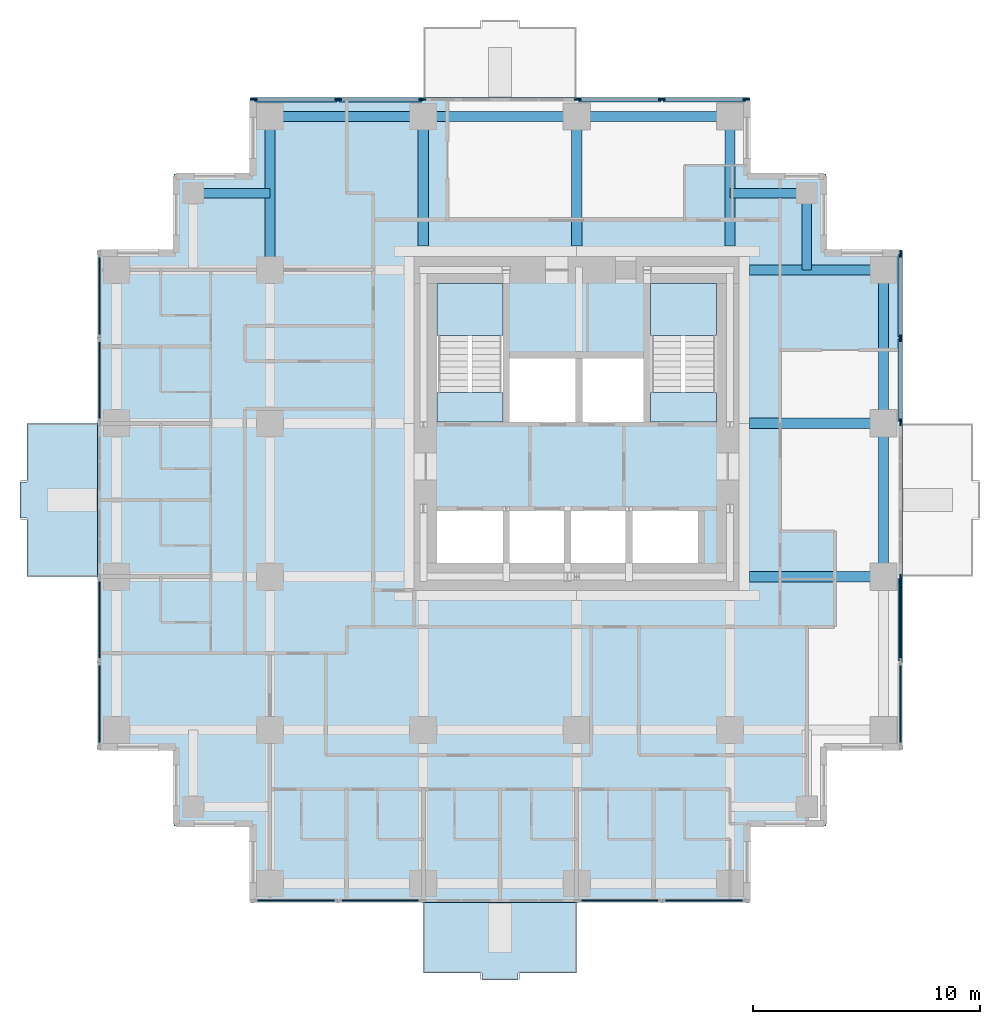
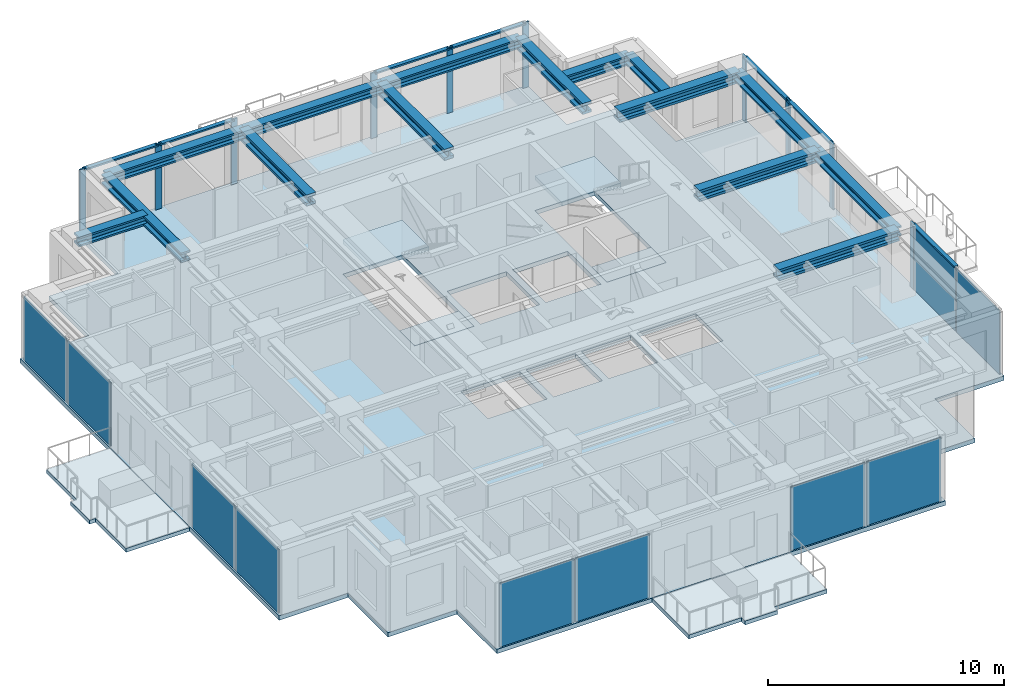
# One storey, part 2 of 8: 17 members, 15 beams, 10 plates, 7 slabs, 10 elements without a shape of their own.
"""IFC4 building model written with IfcOpenShell, lengths in metres."""

from ifc_helpers import new_model, si_unit, direction, frame, origin, origin_2d, place, context, subcontext, project, spatial, polyline, rectangle, i_section, outline, extrude, material, layer, layer_set, material_profile, profile_set, type_object, element, aggregate, save


model = new_model("IFC4")

# Units and contexts
model_context = context("Model", 3, precision=1e-05, world=origin(), true_north=direction((0.0, 1.0)))
body_context = subcontext(model_context, "Body", "Model", "MODEL_VIEW")
ifc_project = project(units=[si_unit("LENGTHUNIT", "METRE"), si_unit("AREAUNIT", "SQUARE_METRE"), si_unit("VOLUMEUNIT", "CUBIC_METRE"), si_unit("PLANEANGLEUNIT", "RADIAN"), si_unit("MASSUNIT", "GRAM", prefix="KILO")], contexts=[model_context])

# Site, building, storey
site_placement = place(None, origin())
site = spatial("IfcSite", under=ifc_project, at=site_placement, CompositionType="ELEMENT")
building_placement = place(site_placement, origin())
building = spatial("IfcBuilding", under=site, at=building_placement, Name="Nyansa Garden Tower", CompositionType="ELEMENT")
storey_placement = place(building_placement, frame((0.0, 0.0, 171.0)))
storey = spatial("IfcBuildingStorey", under=building, at=storey_placement, Name="L46", CompositionType="ELEMENT", Elevation=171.0)

# Curtain wall, member
ifc_material_1 = material(Name="Black anodised aluminium, dark tinted double glazing", Category="aluminium")
curtain_wall_type = type_object("IfcCurtainWallType", Name="Sky lounge curtain wall SLW", PredefinedType="USERDEFINED", material=ifc_material_1)
curtain_wall_1_placement = place(storey_placement, origin())
curtain_wall_1 = element("IfcCurtainWall", 1, at=curtain_wall_1_placement, inside=storey, type_object=curtain_wall_type, Name="Inner skin curtain wall L46 E", ObjectType="UNITISED CURTAIN WALL", PredefinedType="USERDEFINED")
ifc_material_2 = material(Name="Black anodised aluminium", Category="aluminium")
ifc_material_profile_1 = material_profile(ifc_material_2, rectangle(XDim=0.080078125, YDim=0.300048828125, at=origin_2d()), Name="Mullion 300x80")
ifc_profile_set_1 = profile_set([ifc_material_profile_1], Name="Black anodised aluminium")
member_type_1 = type_object("IfcMemberType", Name="Mullion SLW 300x80", PredefinedType="MULLION", material=ifc_profile_set_1)
member_1_placement = place(storey_placement, frame((34.5, 13.4599609375, 0.0), z_axis=(0.0, 0.0, 1.0), x_axis=(-1.0, 0.0, 0.0)))
member_1 = element("IfcMember", 2, at=member_1_placement, type_object=member_type_1, Name="SLW mullion 3", PredefinedType="MULLION", context=body_context, shape_type="SweptSolid", body=[
    extrude(rectangle(XDim=0.080078125, YDim=0.300048828125, at=origin_2d()), origin(), (0.0, 0.0, 1.0), 3.375),
])

# Curtain wall, members
curtain_wall_2_placement = place(storey_placement, origin())
curtain_wall_2 = element("IfcCurtainWall", 3, at=curtain_wall_2_placement, inside=storey, type_object=curtain_wall_type, Name="Inner skin curtain wall L46 E", ObjectType="UNITISED CURTAIN WALL", PredefinedType="USERDEFINED")
member_2_placement = place(storey_placement, frame((34.5, 20.2900390625, 0.0), z_axis=(0.0, 0.0, 1.0), x_axis=(-1.0, 0.0, 0.0)))
member_2 = element("IfcMember", 4, at=member_2_placement, type_object=member_type_1, Name="SLW mullion 1", PredefinedType="MULLION", context=body_context, shape_type="SweptSolid", body=[
    extrude(rectangle(XDim=0.080078125, YDim=0.300048828125, at=origin_2d()), origin(), (0.0, 0.0, 1.0), 3.375),
])
member_3_placement = place(storey_placement, frame((34.5, 24.0, 0.0), z_axis=(0.0, 0.0, 1.0), x_axis=(-1.0, 0.0, 0.0)))
member_3 = element("IfcMember", 5, at=member_3_placement, type_object=member_type_1, Name="SLW mullion 2", PredefinedType="MULLION", context=body_context, shape_type="SweptSolid", body=[
    extrude(rectangle(XDim=0.080078125, YDim=0.300048828125, at=origin_2d()), origin(), (0.0, 0.0, 1.0), 3.375),
])
member_4_placement = place(storey_placement, frame((34.5, 27.7099609375, 0.0), z_axis=(0.0, 0.0, 1.0), x_axis=(-1.0, 0.0, 0.0)))
member_4 = element("IfcMember", 6, at=member_4_placement, type_object=member_type_1, Name="SLW mullion 3", PredefinedType="MULLION", context=body_context, shape_type="SweptSolid", body=[
    extrude(rectangle(XDim=0.080078125, YDim=0.300048828125, at=origin_2d()), origin(), (0.0, 0.0, 1.0), 3.375),
])

curtain_wall_3_placement = place(storey_placement, origin())
curtain_wall_3 = element("IfcCurtainWall", 7, at=curtain_wall_3_placement, inside=storey, type_object=curtain_wall_type, Name="Inner skin curtain wall L46 N", ObjectType="UNITISED CURTAIN WALL", PredefinedType="USERDEFINED")
member_5_placement = place(storey_placement, frame((13.4599609375, 34.5, 0.0), z_axis=(0.0, 0.0, 1.0), x_axis=(0.0, -1.0, 0.0)))
member_5 = element("IfcMember", 8, at=member_5_placement, type_object=member_type_1, Name="SLW mullion 1", PredefinedType="MULLION", context=body_context, shape_type="SweptSolid", body=[
    extrude(rectangle(XDim=0.080078125, YDim=0.300048828125, at=origin_2d()), origin(), (0.0, 0.0, 1.0), 3.375),
])
member_6_placement = place(storey_placement, frame((9.75, 34.5, 0.0), z_axis=(0.0, 0.0, 1.0), x_axis=(0.0, -1.0, 0.0)))
member_6 = element("IfcMember", 9, at=member_6_placement, type_object=member_type_1, Name="SLW mullion 2", PredefinedType="MULLION", context=body_context, shape_type="SweptSolid", body=[
    extrude(rectangle(XDim=0.080078125, YDim=0.300048828125, at=origin_2d()), origin(), (0.0, 0.0, 1.0), 3.375),
])
member_7_placement = place(storey_placement, frame((6.0400390625, 34.5, 0.0), z_axis=(0.0, 0.0, 1.0), x_axis=(0.0, -1.0, 0.0)))
member_7 = element("IfcMember", 10, at=member_7_placement, type_object=member_type_1, Name="SLW mullion 3", PredefinedType="MULLION", context=body_context, shape_type="SweptSolid", body=[
    extrude(rectangle(XDim=0.080078125, YDim=0.300048828125, at=origin_2d()), origin(), (0.0, 0.0, 1.0), 3.375),
])

curtain_wall_4_placement = place(storey_placement, origin())
curtain_wall_4 = element("IfcCurtainWall", 11, at=curtain_wall_4_placement, inside=storey, type_object=curtain_wall_type, Name="Inner skin curtain wall L46 N", ObjectType="UNITISED CURTAIN WALL", PredefinedType="USERDEFINED")
member_8_placement = place(storey_placement, frame((27.7099609375, 34.5, 0.0), z_axis=(0.0, 0.0, 1.0), x_axis=(0.0, -1.0, 0.0)))
member_8 = element("IfcMember", 12, at=member_8_placement, type_object=member_type_1, Name="SLW mullion 1", PredefinedType="MULLION", context=body_context, shape_type="SweptSolid", body=[
    extrude(rectangle(XDim=0.080078125, YDim=0.300048828125, at=origin_2d()), origin(), (0.0, 0.0, 1.0), 3.375),
])
member_9_placement = place(storey_placement, frame((24.0, 34.5, 0.0), z_axis=(0.0, 0.0, 1.0), x_axis=(0.0, -1.0, 0.0)))
member_9 = element("IfcMember", 13, at=member_9_placement, type_object=member_type_1, Name="SLW mullion 2", PredefinedType="MULLION", context=body_context, shape_type="SweptSolid", body=[
    extrude(rectangle(XDim=0.080078125, YDim=0.300048828125, at=origin_2d()), origin(), (0.0, 0.0, 1.0), 3.375),
])
member_10_placement = place(storey_placement, frame((20.2900390625, 34.5, 0.0), z_axis=(0.0, 0.0, 1.0), x_axis=(0.0, -1.0, 0.0)))
member_10 = element("IfcMember", 14, at=member_10_placement, type_object=member_type_1, Name="SLW mullion 3", PredefinedType="MULLION", context=body_context, shape_type="SweptSolid", body=[
    extrude(rectangle(XDim=0.080078125, YDim=0.300048828125, at=origin_2d()), origin(), (0.0, 0.0, 1.0), 3.375),
])

# Beams
ifc_material_3 = material(Name="Steel S355", Category="steel")
ifc_material_profile_2 = material_profile(ifc_material_3, i_section(OverallWidth=0.431884765625, OverallDepth=0.498046875, WebThickness=0.0556640625, FlangeThickness=0.0888671875, FilletRadius=0.014892578125, at=origin_2d()), Name="HD 400x744")
ifc_profile_set_2 = profile_set([ifc_material_profile_2], Name="Steel S355")
beam_type_1 = type_object("IfcBeamType", Name="Steel beam SBC1-744 HD 400x744", PredefinedType="BEAM", material=ifc_profile_set_2)
beam_1_placement = place(storey_placement, frame((6.75, 27.0, 3.1259765625), z_axis=(0.0, 1.0, 0.0), x_axis=(-1.0, 0.0, 0.0)))
element("IfcBeam", 15, at=beam_1_placement, inside=storey, type_object=beam_type_1, Name="Steel beam 3/H-3/J L47", PredefinedType="BEAM", context=body_context, shape_type="SweptSolid", body=[
    extrude(i_section(OverallWidth=0.431884765625, OverallDepth=0.498046875, WebThickness=0.0556640625, FlangeThickness=0.0888671875, FilletRadius=0.014892578125, at=origin_2d()), origin(), (0.0, 0.0, 1.0), 6.75),
])
ifc_material_4 = material(Name="Steel S355", Category="steel")
ifc_material_profile_3 = material_profile(ifc_material_4, i_section(OverallWidth=0.4541015625, OverallDepth=0.569091796875, WebThickness=0.077880859375, FlangeThickness=0.125, FilletRadius=0.014892578125, at=origin_2d()), Name="HD 400x1086")
ifc_profile_set_3 = profile_set([ifc_material_profile_3], Name="Steel S355")
beam_type_2 = type_object("IfcBeamType", Name="Steel beam SCL-1086 HD 400x1086", PredefinedType="BEAM", material=ifc_profile_set_3)
for number, where, z_axis, x_axis, name in (
    (16, (13.5, 28.050048828125, 3.090576171875), (0.0, 1.0, 0.0), (-1.0, 0.0, 0.0), "Steel beam 4/28.050-4/J L47"),
    (17, (20.25, 28.050048828125, 3.090576171875), (0.0, 1.0, 0.0), (-1.0, 0.0, 0.0), "Steel beam 5/28.050-5/J L47"),
):
    element("IfcBeam", number, at=place(storey_placement, frame(where, z_axis=z_axis, x_axis=x_axis)), inside=storey, type_object=beam_type_2, Name=name, PredefinedType="BEAM", context=body_context, shape_type="SweptSolid", body=[
        extrude(i_section(OverallWidth=0.4541015625, OverallDepth=0.569091796875, WebThickness=0.077880859375, FlangeThickness=0.125, FilletRadius=0.014892578125, at=origin_2d()), origin(), (0.0, 0.0, 1.0), 5.699951171875),
    ])
for number, where, z_axis, x_axis, name in (
    (18, (27.85009765625, 13.5, 3.090576171875), (1.0, 0.0, 0.0), (0.0, 1.0, 0.0), "Steel beam 27.850/F-7/F L47"),
    (19, (27.85009765625, 20.25, 3.090576171875), (1.0, 0.0, 0.0), (0.0, 1.0, 0.0), "Steel beam 27.850/G-7/G L47"),
):
    element("IfcBeam", number, at=place(storey_placement, frame(where, z_axis=z_axis, x_axis=x_axis)), inside=storey, type_object=beam_type_2, Name=name, PredefinedType="BEAM", context=body_context, shape_type="SweptSolid", body=[
        extrude(i_section(OverallWidth=0.4541015625, OverallDepth=0.569091796875, WebThickness=0.077880859375, FlangeThickness=0.125, FilletRadius=0.014892578125, at=origin_2d()), origin(), (0.0, 0.0, 1.0), 5.89990234375),
    ])
beam_2_placement = place(storey_placement, frame((27.0, 28.050048828125, 3.090576171875), z_axis=(0.0, 1.0, 0.0), x_axis=(-1.0, 0.0, 0.0)))
element("IfcBeam", 20, at=beam_2_placement, inside=storey, type_object=beam_type_2, Name="Steel beam 6/28.050-6/J L47", PredefinedType="BEAM", context=body_context, shape_type="SweptSolid", body=[
    extrude(i_section(OverallWidth=0.4541015625, OverallDepth=0.569091796875, WebThickness=0.077880859375, FlangeThickness=0.125, FilletRadius=0.014892578125, at=origin_2d()), origin(), (0.0, 0.0, 1.0), 5.699951171875),
])
beam_3_placement = place(storey_placement, frame((27.85009765625, 27.0, 3.090576171875), z_axis=(1.0, 0.0, 0.0), x_axis=(0.0, 1.0, 0.0)))
element("IfcBeam", 21, at=beam_3_placement, inside=storey, type_object=beam_type_2, Name="Steel beam 27.850/H-7/H L47", PredefinedType="BEAM", context=body_context, shape_type="SweptSolid", body=[
    extrude(i_section(OverallWidth=0.4541015625, OverallDepth=0.569091796875, WebThickness=0.077880859375, FlangeThickness=0.125, FilletRadius=0.014892578125, at=origin_2d()), origin(), (0.0, 0.0, 1.0), 5.89990234375),
])
ifc_material_5 = material(Name="Steel S355", Category="steel")
ifc_material_profile_4 = material_profile(ifc_material_5, i_section(OverallWidth=0.431884765625, OverallDepth=0.498046875, WebThickness=0.0556640625, FlangeThickness=0.0888671875, FilletRadius=0.014892578125, at=origin_2d()), Name="HD 400x744")
ifc_profile_set_4 = profile_set([ifc_material_profile_4], Name="Steel S355")
beam_type_3 = type_object("IfcBeamType", Name="Steel beam SEBC-744 HD 400x744", PredefinedType="BEAM", material=ifc_profile_set_4)
for number, where, z_axis, x_axis, name in (
    (22, (6.75, 33.75, 3.1259765625), (1.0, 0.0, 0.0), (0.0, 1.0, 0.0), "Steel edge beam 3/J-4/J L47"),
    (23, (13.5, 33.75, 3.1259765625), (1.0, 0.0, 0.0), (0.0, 1.0, 0.0), "Steel edge beam 4/J-5/J L47"),
    (24, (20.25, 33.75, 3.1259765625), (1.0, 0.0, 0.0), (0.0, 1.0, 0.0), "Steel edge beam 5/J-6/J L47"),
    (25, (33.75, 13.5, 3.1259765625), (0.0, 1.0, 0.0), (-1.0, 0.0, 0.0), "Steel edge beam 7/F-7/G L47"),
    (26, (33.75, 20.25, 3.1259765625), (0.0, 1.0, 0.0), (-1.0, 0.0, 0.0), "Steel edge beam 7/G-7/H L47"),
):
    element("IfcBeam", number, at=place(storey_placement, frame(where, z_axis=z_axis, x_axis=x_axis)), inside=storey, type_object=beam_type_3, Name=name, PredefinedType="BEAM", context=body_context, shape_type="SweptSolid", body=[
        extrude(i_section(OverallWidth=0.431884765625, OverallDepth=0.498046875, WebThickness=0.0556640625, FlangeThickness=0.0888671875, FilletRadius=0.014892578125, at=origin_2d()), origin(), (0.0, 0.0, 1.0), 6.75),
    ])
ifc_material_6 = material(Name="Steel S355", Category="steel")
ifc_material_profile_5 = material_profile(ifc_material_6, i_section(OverallWidth=0.431884765625, OverallDepth=0.498046875, WebThickness=0.0556640625, FlangeThickness=0.0888671875, FilletRadius=0.014892578125, at=origin_2d()), Name="HD 400x744")
ifc_profile_set_5 = profile_set([ifc_material_profile_5], Name="Steel S355")
beam_type_4 = type_object("IfcBeamType", Name="Steel beam SSB1-744 HD 400x744", PredefinedType="BEAM", material=ifc_profile_set_5)
for number, where, z_axis, x_axis, name in (
    (27, (30.375, 30.375, 3.1259765625), (0.0, -1.0, 0.0), (1.0, 0.0, 0.0), "Steel step beam 30.375/30.375 L47"),
    (28, (30.375, 30.375, 3.1259765625), (-1.0, 0.0, 0.0), (0.0, -1.0, 0.0), "Steel step beam 30.375/30.375 L47"),
    (29, (3.375, 30.375, 3.1259765625), (1.0, 0.0, 0.0), (0.0, 1.0, 0.0), "Steel step beam 3.375/30.375 L47"),
):
    element("IfcBeam", number, at=place(storey_placement, frame(where, z_axis=z_axis, x_axis=x_axis)), inside=storey, type_object=beam_type_4, Name=name, PredefinedType="BEAM", context=body_context, shape_type="SweptSolid", body=[
        extrude(i_section(OverallWidth=0.431884765625, OverallDepth=0.498046875, WebThickness=0.0556640625, FlangeThickness=0.0888671875, FilletRadius=0.014892578125, at=origin_2d()), origin(), (0.0, 0.0, 1.0), 3.375),
    ])

# Member
ifc_material_7 = material(Name="Black anodised aluminium", Category="aluminium")
ifc_material_profile_6 = material_profile(ifc_material_7, rectangle(XDim=0.199951171875, YDim=0.080078125, at=origin_2d()), Name="Transom 200x80")
ifc_profile_set_6 = profile_set([ifc_material_profile_6], Name="Black anodised aluminium")
member_type_2 = type_object("IfcMemberType", Name="Transom SLW 200x80", PredefinedType="USERDEFINED", material=ifc_profile_set_6)
member_11_placement = place(storey_placement, frame((34.5, 9.7900390625, 3.3349609375), z_axis=(0.0, 1.0, 0.0), x_axis=(-1.0, 0.0, 0.0)))
member_11 = element("IfcMember", 30, at=member_11_placement, type_object=member_type_2, Name="SLW transom 2", ObjectType="TRANSOM", PredefinedType="USERDEFINED", context=body_context, shape_type="SweptSolid", body=[
    extrude(rectangle(XDim=0.199951171875, YDim=0.080078125, at=origin_2d()), origin(), (0.0, 0.0, 1.0), 3.6298828125),
])

member_12_placement = place(storey_placement, frame((34.5, 20.330078125, 3.3349609375), z_axis=(0.0, 1.0, 0.0), x_axis=(-1.0, 0.0, 0.0)))
member_12 = element("IfcMember", 31, at=member_12_placement, type_object=member_type_2, Name="SLW transom 1", ObjectType="TRANSOM", PredefinedType="USERDEFINED", context=body_context, shape_type="SweptSolid", body=[
    extrude(rectangle(XDim=0.199951171875, YDim=0.080078125, at=origin_2d()), origin(), (0.0, 0.0, 1.0), 3.6298828125),
])

member_13_placement = place(storey_placement, frame((34.5, 24.0400390625, 3.3349609375), z_axis=(0.0, 1.0, 0.0), x_axis=(-1.0, 0.0, 0.0)))
member_13 = element("IfcMember", 32, at=member_13_placement, type_object=member_type_2, Name="SLW transom 2", ObjectType="TRANSOM", PredefinedType="USERDEFINED", context=body_context, shape_type="SweptSolid", body=[
    extrude(rectangle(XDim=0.199951171875, YDim=0.080078125, at=origin_2d()), origin(), (0.0, 0.0, 1.0), 3.6298828125),
])

aggregate(curtain_wall_2, [member_2, member_3, member_4, member_12, member_13])

member_14_placement = place(storey_placement, frame((13.419921875, 34.5, 3.3349609375), z_axis=(-1.0, 0.0, 0.0), x_axis=(0.0, -1.0, 0.0)))
member_14 = element("IfcMember", 33, at=member_14_placement, type_object=member_type_2, Name="SLW transom 1", ObjectType="TRANSOM", PredefinedType="USERDEFINED", context=body_context, shape_type="SweptSolid", body=[
    extrude(rectangle(XDim=0.199951171875, YDim=0.080078125, at=origin_2d()), origin(), (0.0, 0.0, 1.0), 3.6298828125),
])

member_15_placement = place(storey_placement, frame((9.7099609375, 34.5, 3.3349609375), z_axis=(-1.0, 0.0, 0.0), x_axis=(0.0, -1.0, 0.0)))
member_15 = element("IfcMember", 34, at=member_15_placement, type_object=member_type_2, Name="SLW transom 2", ObjectType="TRANSOM", PredefinedType="USERDEFINED", context=body_context, shape_type="SweptSolid", body=[
    extrude(rectangle(XDim=0.199951171875, YDim=0.080078125, at=origin_2d()), origin(), (0.0, 0.0, 1.0), 3.6298828125),
])

aggregate(curtain_wall_3, [member_5, member_6, member_7, member_14, member_15])

member_16_placement = place(storey_placement, frame((27.669921875, 34.5, 3.3349609375), z_axis=(-1.0, 0.0, 0.0), x_axis=(0.0, -1.0, 0.0)))
member_16 = element("IfcMember", 35, at=member_16_placement, type_object=member_type_2, Name="SLW transom 1", ObjectType="TRANSOM", PredefinedType="USERDEFINED", context=body_context, shape_type="SweptSolid", body=[
    extrude(rectangle(XDim=0.199951171875, YDim=0.080078125, at=origin_2d()), origin(), (0.0, 0.0, 1.0), 3.6298828125),
])

member_17_placement = place(storey_placement, frame((23.9599609375, 34.5, 3.3349609375), z_axis=(-1.0, 0.0, 0.0), x_axis=(0.0, -1.0, 0.0)))
member_17 = element("IfcMember", 36, at=member_17_placement, type_object=member_type_2, Name="SLW transom 2", ObjectType="TRANSOM", PredefinedType="USERDEFINED", context=body_context, shape_type="SweptSolid", body=[
    extrude(rectangle(XDim=0.199951171875, YDim=0.080078125, at=origin_2d()), origin(), (0.0, 0.0, 1.0), 3.6298828125),
])

aggregate(curtain_wall_4, [member_8, member_9, member_10, member_16, member_17])

# Slabs
ifc_material_8 = material(Name="Concrete C40/50", Category="concrete")
ifc_layer_1 = layer(ifc_material_8, 0.199951171875)
ifc_layer_set_1 = layer_set([ifc_layer_1], Name="Balcony slab BS200")
slab_type_1 = type_object("IfcSlabType", Name="Balcony slab BS200", PredefinedType="FLOOR", material=ifc_layer_set_1)
slab_1_placement = place(storey_placement, frame((0.0, 0.0, -0.239990234375)))
element("IfcSlab", 37, at=slab_1_placement, inside=storey, type_object=slab_type_1, Name="Balcony L46 S", PredefinedType="FLOOR", context=body_context, shape_type="SweptSolid", body=[
    extrude(outline(polyline([(13.5, -0.85009765625), (20.25, -0.85009765625), (20.25, -3.949951171875), (17.675048828125, -3.949951171875), (17.675048828125, -4.25), (16.074951171875, -4.25), (16.074951171875, -3.949951171875), (13.5, -3.949951171875), (13.5, -0.85009765625)])), origin(), (0.0, 0.0, 1.0), 0.199951171875),
])
slab_2_placement = place(storey_placement, frame((0.0, 0.0, -0.239990234375)))
element("IfcSlab", 38, at=slab_2_placement, inside=storey, type_object=slab_type_1, Name="Balcony L46 W", PredefinedType="FLOOR", context=body_context, shape_type="SweptSolid", body=[
    extrude(outline(polyline([(-0.85009765625, 13.5), (-0.85009765625, 20.25), (-3.949951171875, 20.25), (-3.949951171875, 17.675048828125), (-4.25, 17.675048828125), (-4.25, 16.074951171875), (-3.949951171875, 16.074951171875), (-3.949951171875, 13.5), (-0.85009765625, 13.5)])), origin(), (0.0, 0.0, 1.0), 0.199951171875),
])
ifc_material_9 = material(Name="Concrete C40/50", Category="concrete")
ifc_layer_2 = layer(ifc_material_9, 0.22509765625)
ifc_layer_set_2 = layer_set([ifc_layer_2], Name="Floor slab FS225")
slab_type_2 = type_object("IfcSlabType", Name="Floor slab FS225", PredefinedType="FLOOR", material=ifc_layer_set_2)
slab_3_placement = place(storey_placement, frame((0.0, 0.0, -0.22509765625)))
element("IfcSlab", 39, at=slab_3_placement, inside=storey, type_object=slab_type_2, Name="Floor slab L46", PredefinedType="FLOOR", context=body_context, shape_type="SweptSolid", body=[
    extrude(outline(polyline([(34.60009765625, 5.89990234375), (31.22509765625, 5.89990234375), (31.22509765625, 2.52490234375), (27.85009765625, 2.52490234375), (27.85009765625, -0.85009765625), (5.89990234375, -0.85009765625), (5.89990234375, 2.52490234375), (2.52490234375, 2.52490234375), (2.52490234375, 5.89990234375), (-0.85009765625, 5.89990234375), (-0.85009765625, 27.85009765625), (2.52490234375, 27.85009765625), (2.52490234375, 31.22509765625), (5.89990234375, 31.22509765625), (5.89990234375, 34.60009765625), (27.85009765625, 34.60009765625), (27.85009765625, 31.22509765625), (31.22509765625, 31.22509765625), (31.22509765625, 27.85009765625), (34.60009765625, 27.85009765625), (34.60009765625, 5.89990234375)]), holes=[polyline([(14.10009765625, 14.10009765625), (17.0, 14.10009765625), (17.0, 16.39990234375), (14.10009765625, 16.39990234375), (14.10009765625, 14.10009765625)]), polyline([(17.300048828125, 14.10009765625), (19.699951171875, 14.10009765625), (19.699951171875, 16.39990234375), (17.300048828125, 16.39990234375), (17.300048828125, 14.10009765625)]), polyline([(20.0, 14.10009765625), (22.39990234375, 14.10009765625), (22.39990234375, 16.39990234375), (20.0, 16.39990234375), (20.0, 14.10009765625)]), polyline([(22.699951171875, 14.10009765625), (25.60009765625, 14.10009765625), (25.60009765625, 16.39990234375), (22.699951171875, 16.39990234375), (22.699951171875, 14.10009765625)]), polyline([(17.300048828125, 20.300048828125), (20.199951171875, 20.300048828125), (20.199951171875, 23.10009765625), (17.300048828125, 23.10009765625), (17.300048828125, 20.300048828125)]), polyline([(20.5, 20.300048828125), (23.199951171875, 20.300048828125), (23.199951171875, 23.10009765625), (20.5, 23.10009765625), (20.5, 20.300048828125)]), polyline([(14.10009765625, 20.300048828125), (17.0, 20.300048828125), (17.0, 26.39990234375), (14.10009765625, 26.39990234375), (14.10009765625, 20.300048828125)]), polyline([(23.5, 20.300048828125), (26.39990234375, 20.300048828125), (26.39990234375, 26.39990234375), (23.5, 26.39990234375), (23.5, 20.300048828125)])]), origin(), (0.0, 0.0, 1.0), 0.22509765625),
])

# Plate
ifc_material_10 = material(Name="Dark tinted laminated double glazing", Category="glass")
ifc_layer_3 = layer(ifc_material_10, 0.048095703125)
ifc_layer_set_3 = layer_set([ifc_layer_3], Name="Lounge vision panel VP-L")
plate_type = type_object("IfcPlateType", Name="Lounge vision panel VP-L", PredefinedType="CURTAIN_PANEL", material=ifc_layer_set_3)
plate_1_placement = place(storey_placement, frame((34.5, 7.89501953125, 0.0), z_axis=(0.0, 0.0, 1.0), x_axis=(0.0, 1.0, 0.0)))
plate_1 = element("IfcPlate", 40, at=plate_1_placement, type_object=plate_type, Name="SLW panel 1", PredefinedType="CURTAIN_PANEL", context=body_context, shape_type="SweptSolid", body=[
    extrude(rectangle(XDim=3.6298828125, YDim=0.048095703125, at=origin_2d()), origin(), (0.0, 0.0, 1.0), 3.294921875),
])

plate_2_placement = place(storey_placement, frame((34.5, 11.60498046875, 0.0), z_axis=(0.0, 0.0, 1.0), x_axis=(0.0, 1.0, 0.0)))
plate_2 = element("IfcPlate", 41, at=plate_2_placement, type_object=plate_type, Name="SLW panel 2", PredefinedType="CURTAIN_PANEL", context=body_context, shape_type="SweptSolid", body=[
    extrude(rectangle(XDim=3.6298828125, YDim=0.048095703125, at=origin_2d()), origin(), (0.0, 0.0, 1.0), 3.294921875),
])

aggregate(curtain_wall_1, [member_1, plate_1, member_11, plate_2])

# Curtain wall, plates
curtain_wall_5_placement = place(storey_placement, origin())
curtain_wall_5 = element("IfcCurtainWall", 42, at=curtain_wall_5_placement, inside=storey, type_object=curtain_wall_type, Name="Inner skin curtain wall L46 W", ObjectType="UNITISED CURTAIN WALL", PredefinedType="USERDEFINED")
plate_3_placement = place(storey_placement, frame((-0.75, 11.60498046875, 0.0), z_axis=(0.0, 0.0, 1.0), x_axis=(0.0, -1.0, 0.0)))
plate_3 = element("IfcPlate", 43, at=plate_3_placement, type_object=plate_type, Name="SLW panel 1", PredefinedType="CURTAIN_PANEL", context=body_context, shape_type="SweptSolid", body=[
    extrude(rectangle(XDim=3.6298828125, YDim=0.048095703125, at=origin_2d()), origin(), (0.0, 0.0, 1.0), 3.294921875),
])
plate_4_placement = place(storey_placement, frame((-0.75, 7.89501953125, 0.0), z_axis=(0.0, 0.0, 1.0), x_axis=(0.0, -1.0, 0.0)))
plate_4 = element("IfcPlate", 44, at=plate_4_placement, type_object=plate_type, Name="SLW panel 2", PredefinedType="CURTAIN_PANEL", context=body_context, shape_type="SweptSolid", body=[
    extrude(rectangle(XDim=3.6298828125, YDim=0.048095703125, at=origin_2d()), origin(), (0.0, 0.0, 1.0), 3.294921875),
])
aggregate(curtain_wall_5, [plate_3, plate_4])

curtain_wall_6_placement = place(storey_placement, origin())
curtain_wall_6 = element("IfcCurtainWall", 45, at=curtain_wall_6_placement, inside=storey, type_object=curtain_wall_type, Name="Inner skin curtain wall L46 W", ObjectType="UNITISED CURTAIN WALL", PredefinedType="USERDEFINED")
plate_5_placement = place(storey_placement, frame((-0.75, 25.85498046875, 0.0), z_axis=(0.0, 0.0, 1.0), x_axis=(0.0, -1.0, 0.0)))
plate_5 = element("IfcPlate", 46, at=plate_5_placement, type_object=plate_type, Name="SLW panel 1", PredefinedType="CURTAIN_PANEL", context=body_context, shape_type="SweptSolid", body=[
    extrude(rectangle(XDim=3.6298828125, YDim=0.048095703125, at=origin_2d()), origin(), (0.0, 0.0, 1.0), 3.294921875),
])
plate_6_placement = place(storey_placement, frame((-0.75, 22.14501953125, 0.0), z_axis=(0.0, 0.0, 1.0), x_axis=(0.0, -1.0, 0.0)))
plate_6 = element("IfcPlate", 47, at=plate_6_placement, type_object=plate_type, Name="SLW panel 2", PredefinedType="CURTAIN_PANEL", context=body_context, shape_type="SweptSolid", body=[
    extrude(rectangle(XDim=3.6298828125, YDim=0.048095703125, at=origin_2d()), origin(), (0.0, 0.0, 1.0), 3.294921875),
])
aggregate(curtain_wall_6, [plate_5, plate_6])

curtain_wall_7_placement = place(storey_placement, origin())
curtain_wall_7 = element("IfcCurtainWall", 48, at=curtain_wall_7_placement, inside=storey, type_object=curtain_wall_type, Name="Inner skin curtain wall L46 S", ObjectType="UNITISED CURTAIN WALL", PredefinedType="USERDEFINED")
plate_7_placement = place(storey_placement, frame((7.89501953125, -0.75, 0.0), z_axis=(0.0, 0.0, 1.0), x_axis=(1.0, 0.0, 0.0)))
plate_7 = element("IfcPlate", 49, at=plate_7_placement, type_object=plate_type, Name="SLW panel 1", PredefinedType="CURTAIN_PANEL", context=body_context, shape_type="SweptSolid", body=[
    extrude(rectangle(XDim=3.6298828125, YDim=0.048095703125, at=origin_2d()), origin(), (0.0, 0.0, 1.0), 3.294921875),
])
plate_8_placement = place(storey_placement, frame((11.60498046875, -0.75, 0.0), z_axis=(0.0, 0.0, 1.0), x_axis=(1.0, 0.0, 0.0)))
plate_8 = element("IfcPlate", 50, at=plate_8_placement, type_object=plate_type, Name="SLW panel 2", PredefinedType="CURTAIN_PANEL", context=body_context, shape_type="SweptSolid", body=[
    extrude(rectangle(XDim=3.6298828125, YDim=0.048095703125, at=origin_2d()), origin(), (0.0, 0.0, 1.0), 3.294921875),
])
aggregate(curtain_wall_7, [plate_7, plate_8])

curtain_wall_8_placement = place(storey_placement, origin())
curtain_wall_8 = element("IfcCurtainWall", 51, at=curtain_wall_8_placement, inside=storey, type_object=curtain_wall_type, Name="Inner skin curtain wall L46 S", ObjectType="UNITISED CURTAIN WALL", PredefinedType="USERDEFINED")
plate_9_placement = place(storey_placement, frame((22.14501953125, -0.75, 0.0), z_axis=(0.0, 0.0, 1.0), x_axis=(1.0, 0.0, 0.0)))
plate_9 = element("IfcPlate", 52, at=plate_9_placement, type_object=plate_type, Name="SLW panel 1", PredefinedType="CURTAIN_PANEL", context=body_context, shape_type="SweptSolid", body=[
    extrude(rectangle(XDim=3.6298828125, YDim=0.048095703125, at=origin_2d()), origin(), (0.0, 0.0, 1.0), 3.294921875),
])
plate_10_placement = place(storey_placement, frame((25.85498046875, -0.75, 0.0), z_axis=(0.0, 0.0, 1.0), x_axis=(1.0, 0.0, 0.0)))
plate_10 = element("IfcPlate", 53, at=plate_10_placement, type_object=plate_type, Name="SLW panel 2", PredefinedType="CURTAIN_PANEL", context=body_context, shape_type="SweptSolid", body=[
    extrude(rectangle(XDim=3.6298828125, YDim=0.048095703125, at=origin_2d()), origin(), (0.0, 0.0, 1.0), 3.294921875),
])
aggregate(curtain_wall_8, [plate_9, plate_10])

# Stair, slabs
ifc_material_11 = material(Name="Precast concrete C40/50", Category="concrete")
stair_type_1 = type_object("IfcStairType", Name="Stair S1 180x280", PredefinedType="HALF_TURN_STAIR", material=ifc_material_11)
stair_1_placement = place(storey_placement, origin())
stair_1 = element("IfcStair", 54, at=stair_1_placement, inside=storey, type_object=stair_type_1, Name="Stair S1 L46", PredefinedType="HALF_TURN_STAIR")
ifc_material_12 = material(Name="Concrete C40/50", Category="concrete")
ifc_layer_4 = layer(ifc_material_12, 0.199951171875)
ifc_layer_set_4 = layer_set([ifc_layer_4], Name="Stair landing SL200")
slab_type_3 = type_object("IfcSlabType", Name="Stair landing SL200", PredefinedType="LANDING", material=ifc_layer_set_4)
slab_4_placement = place(storey_placement, frame((0.0, 0.0, -0.199951171875)))
slab_4 = element("IfcSlab", 55, at=slab_4_placement, type_object=slab_type_3, Name="S1 landing 1", PredefinedType="LANDING", context=body_context, shape_type="SweptSolid", body=[
    extrude(outline(polyline([(14.10009765625, 20.300048828125), (17.0, 20.300048828125), (17.0, 21.60009765625), (14.10009765625, 21.60009765625), (14.10009765625, 20.300048828125)])), origin(), (0.0, 0.0, 1.0), 0.199951171875),
])
slab_5_placement = place(storey_placement, frame((0.0, 0.0, 1.60009765625)))
slab_5 = element("IfcSlab", 56, at=slab_5_placement, type_object=slab_type_3, Name="S1 landing 2", PredefinedType="LANDING", context=body_context, shape_type="SweptSolid", body=[
    extrude(outline(polyline([(14.10009765625, 24.1201171875), (17.0, 24.1201171875), (17.0, 26.39990234375), (14.10009765625, 26.39990234375), (14.10009765625, 24.1201171875)])), origin(), (0.0, 0.0, 1.0), 0.199951171875),
])
aggregate(stair_1, [slab_4, slab_5])

ifc_material_13 = material(Name="Precast concrete C40/50", Category="concrete")
stair_type_2 = type_object("IfcStairType", Name="Stair S2 180x280", PredefinedType="HALF_TURN_STAIR", material=ifc_material_13)
stair_2_placement = place(storey_placement, origin())
stair_2 = element("IfcStair", 57, at=stair_2_placement, inside=storey, type_object=stair_type_2, Name="Stair S2 L46", PredefinedType="HALF_TURN_STAIR")
slab_6_placement = place(storey_placement, frame((0.0, 0.0, -0.199951171875)))
slab_6 = element("IfcSlab", 58, at=slab_6_placement, type_object=slab_type_3, Name="S2 landing 1", PredefinedType="LANDING", context=body_context, shape_type="SweptSolid", body=[
    extrude(outline(polyline([(23.5, 20.300048828125), (26.39990234375, 20.300048828125), (26.39990234375, 21.60009765625), (23.5, 21.60009765625), (23.5, 20.300048828125)])), origin(), (0.0, 0.0, 1.0), 0.199951171875),
])
slab_7_placement = place(storey_placement, frame((0.0, 0.0, 1.60009765625)))
slab_7 = element("IfcSlab", 59, at=slab_7_placement, type_object=slab_type_3, Name="S2 landing 2", PredefinedType="LANDING", context=body_context, shape_type="SweptSolid", body=[
    extrude(outline(polyline([(23.5, 24.1201171875), (26.39990234375, 24.1201171875), (26.39990234375, 26.39990234375), (23.5, 26.39990234375), (23.5, 24.1201171875)])), origin(), (0.0, 0.0, 1.0), 0.199951171875),
])
aggregate(stair_2, [slab_6, slab_7])

save(model, "model.ifc")
